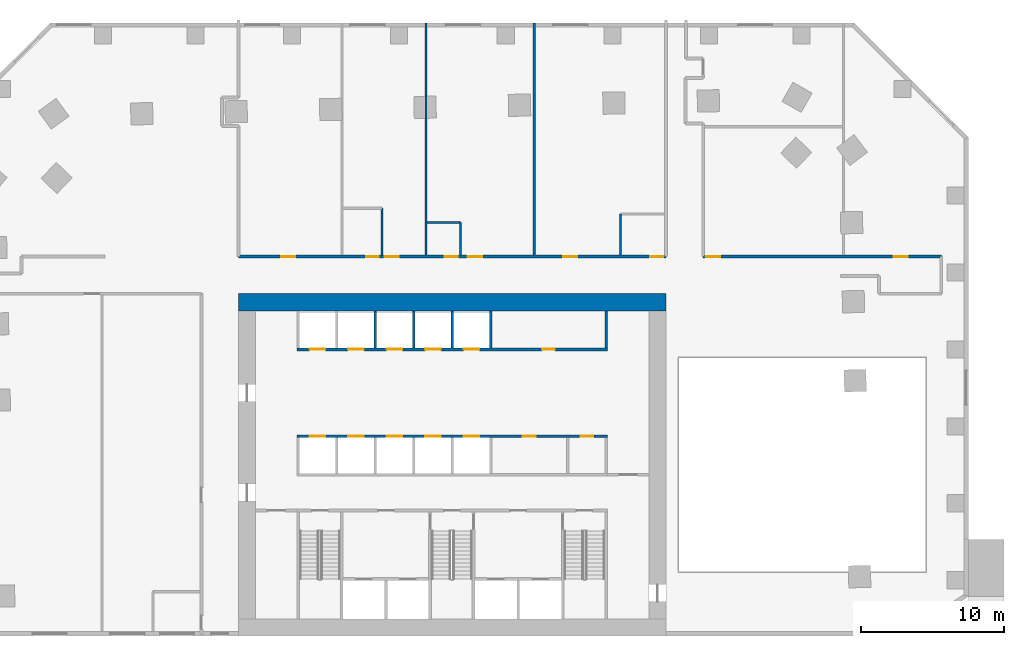
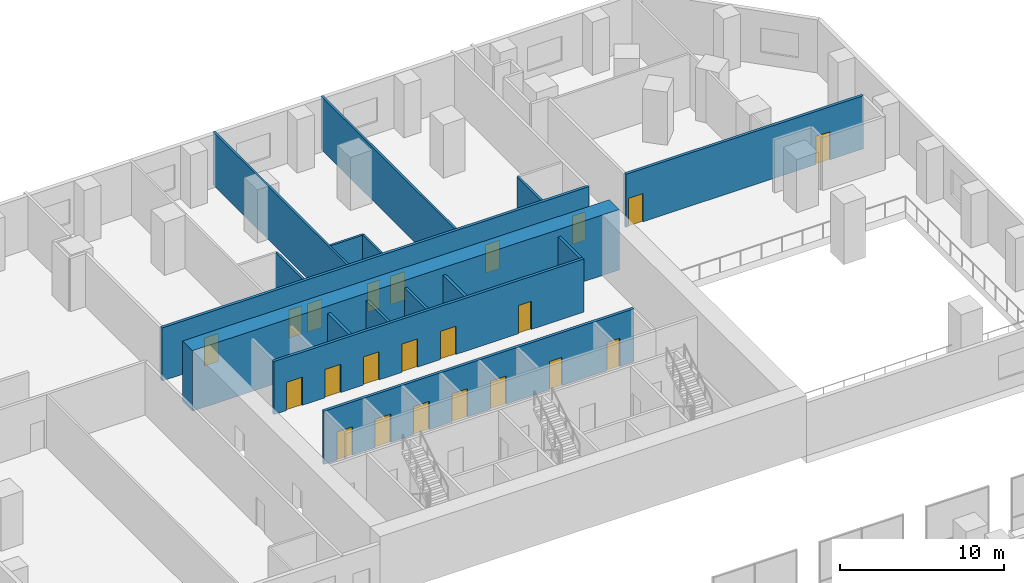
# One storey, part 8 of 12: 22 doors, 16 walls, 22 openings.
"""IFC4 building model written with IfcOpenShell, lengths in metres."""

from ifc_helpers import new_model, si_unit, direction, frame, frame_2d, origin, place, context, subcontext, project, spatial, rectangle, extrude, material, layer, layer_set, type_object, element, fill, save


model = new_model("IFC4")

# Units and contexts
model_context = context("Model", 3, precision=1e-05, world=origin(), true_north=direction((0.0, 1.0)))
body_context = subcontext(model_context, "Body", "Model", "MODEL_VIEW")
ifc_project = project(units=[si_unit("LENGTHUNIT", "METRE"), si_unit("AREAUNIT", "SQUARE_METRE"), si_unit("VOLUMEUNIT", "CUBIC_METRE"), si_unit("PLANEANGLEUNIT", "RADIAN"), si_unit("MASSUNIT", "GRAM", prefix="KILO")], contexts=[model_context])

# Site, building, storey
site_placement = place(None, origin())
site = spatial("IfcSite", under=ifc_project, at=site_placement, CompositionType="ELEMENT")
building_placement = place(site_placement, origin())
building = spatial("IfcBuilding", under=site, at=building_placement, Name="Mangrove Gate Tower", CompositionType="ELEMENT")
storey_placement = place(building_placement, frame((0.0, 0.0, 16.0)))
storey = spatial("IfcBuildingStorey", under=building, at=storey_placement, Name="L03", CompositionType="ELEMENT", Elevation=16.0)

# Wall
ifc_material_1 = material(Name="Concrete C32/40", Category="concrete")
ifc_layer_1 = layer(ifc_material_1, 0.199951171875)
ifc_layer_set_1 = layer_set([ifc_layer_1], Name="Core room wall 200 C32/40")
wall_type_1 = type_object("IfcWallType", Name="Core room wall 200 C32/40", PredefinedType="STANDARD", material=ifc_layer_set_1)
wall_1_placement = place(storey_placement, frame((10.800048828125, 8.199951171875, 0.0), z_axis=(0.0, 0.0, 1.0), x_axis=(0.0, 1.0, 0.0)))
element("IfcWall", 1, at=wall_1_placement, inside=storey, type_object=wall_type_1, Name="WALL-L03-CORE-33", PredefinedType="STANDARD", context=body_context, shape_type="SweptSolid", body=[
    extrude(rectangle(XDim=2.60009765625, YDim=0.199951171875, at=frame_2d((1.300048828125, 0.0))), origin(), (0.0, 0.0, 1.0), 3.949951171875),
])

# Wall, openings, doors
ifc_material_2 = material(Name="Concrete C70/85", Category="concrete")
ifc_layer_2 = layer(ifc_material_2, 0.199951171875)
ifc_layer_set_2 = layer_set([ifc_layer_2], Name="Core shaft wall 200 C70/85")
wall_type_2 = type_object("IfcWallType", Name="Core shaft wall 200 C70/85", PredefinedType="SHEAR", material=ifc_layer_set_2)
wall_2_placement = place(storey_placement, frame((-10.89990234375, 2.0, 0.0), z_axis=(0.0, 0.0, 1.0), x_axis=(1.0, 0.0, 0.0)))
wall_2 = element("IfcWall", 2, at=wall_2_placement, inside=storey, type_object=wall_type_2, Name="WALL-L03-CORE-7", PredefinedType="SHEAR", context=body_context, shape_type="SweptSolid", body=[
    extrude(rectangle(XDim=21.7998046875, YDim=0.199951171875, at=frame_2d((10.89990234375, 0.0))), origin(), (0.0, 0.0, 1.0), 3.949951171875),
])
opening_1_placement = place(wall_2_placement, frame((0.89990234375, 0.0, 0.0)))
opening_1 = element("IfcOpeningElement", 3, at=opening_1_placement, cuts=wall_2, Name="Opening LD", PredefinedType="OPENING", context=body_context, shape_type="SweptSolid", body=[
    extrude(rectangle(XDim=1.10009765625, YDim=2.10009765625, at=frame_2d((0.550048828125, 1.050048828125))), frame((0.0, 0.10986328125, 0.0), z_axis=(0.0, -1.0, 0.0), x_axis=(1.0, 0.0, 0.0)), (0.0, 0.0, 1.0), 0.219970703125),
])
opening_2_placement = place(wall_2_placement, frame((3.60009765625, 0.0, 0.0)))
opening_2 = element("IfcOpeningElement", 4, at=opening_2_placement, cuts=wall_2, Name="Opening LD", PredefinedType="OPENING", context=body_context, shape_type="SweptSolid", body=[
    extrude(rectangle(XDim=1.10009765625, YDim=2.10009765625, at=frame_2d((0.550048828125, 1.050048828125))), frame((0.0, 0.10986328125, 0.0), z_axis=(0.0, -1.0, 0.0), x_axis=(1.0, 0.0, 0.0)), (0.0, 0.0, 1.0), 0.219970703125),
])
opening_3_placement = place(wall_2_placement, frame((6.300048828125, 0.0, 0.0)))
opening_3 = element("IfcOpeningElement", 5, at=opening_3_placement, cuts=wall_2, Name="Opening LD", PredefinedType="OPENING", context=body_context, shape_type="SweptSolid", body=[
    extrude(rectangle(XDim=1.10009765625, YDim=2.10009765625, at=frame_2d((0.550048828125, 1.050048828125))), frame((0.0, 0.10986328125, 0.0), z_axis=(0.0, -1.0, 0.0), x_axis=(1.0, 0.0, 0.0)), (0.0, 0.0, 1.0), 0.219970703125),
])
opening_4_placement = place(wall_2_placement, frame((9.0, 0.0, 0.0)))
opening_4 = element("IfcOpeningElement", 6, at=opening_4_placement, cuts=wall_2, Name="Opening LD", PredefinedType="OPENING", context=body_context, shape_type="SweptSolid", body=[
    extrude(rectangle(XDim=1.10009765625, YDim=2.10009765625, at=frame_2d((0.550048828125, 1.050048828125))), frame((0.0, 0.10986328125, 0.0), z_axis=(0.0, -1.0, 0.0), x_axis=(1.0, 0.0, 0.0)), (0.0, 0.0, 1.0), 0.219970703125),
])
opening_5_placement = place(wall_2_placement, frame((11.699951171875, 0.0, 0.0)))
opening_5 = element("IfcOpeningElement", 7, at=opening_5_placement, cuts=wall_2, Name="Opening LD", PredefinedType="OPENING", context=body_context, shape_type="SweptSolid", body=[
    extrude(rectangle(XDim=1.10009765625, YDim=2.10009765625, at=frame_2d((0.550048828125, 1.050048828125))), frame((0.0, 0.10986328125, 0.0), z_axis=(0.0, -1.0, 0.0), x_axis=(1.0, 0.0, 0.0)), (0.0, 0.0, 1.0), 0.219970703125),
])
opening_6_placement = place(wall_2_placement, frame((15.85009765625, 0.0, 0.0)))
opening_6 = element("IfcOpeningElement", 8, at=opening_6_placement, cuts=wall_2, Name="Opening KD", PredefinedType="OPENING", context=body_context, shape_type="SweptSolid", body=[
    extrude(rectangle(XDim=0.89990234375, YDim=2.10009765625, at=frame_2d((0.449951171875, 1.050048828125))), frame((0.0, 0.10986328125, 0.0), z_axis=(0.0, -1.0, 0.0), x_axis=(1.0, 0.0, 0.0)), (0.0, 0.0, 1.0), 0.219970703125),
])
opening_7_placement = place(wall_2_placement, frame((19.89990234375, 0.0, 0.0)))
opening_7 = element("IfcOpeningElement", 9, at=opening_7_placement, cuts=wall_2, Name="Opening RD", PredefinedType="OPENING", context=body_context, shape_type="SweptSolid", body=[
    extrude(rectangle(XDim=0.89990234375, YDim=2.10009765625, at=frame_2d((0.449951171875, 1.050048828125))), frame((0.0, 0.10986328125, 0.0), z_axis=(0.0, -1.0, 0.0), x_axis=(1.0, 0.0, 0.0)), (0.0, 0.0, 1.0), 0.219970703125),
])
ifc_material_3 = material(Name="Fire-rated steel door set", Category="steel")
door_type_1 = type_object("IfcDoorType", Name="Core room door FD30S 900x2100", OperationType="SINGLE_SWING_RIGHT", PredefinedType="DOOR", material=ifc_material_3)
door_1_placement = place(opening_6_placement, origin())
door_1 = element("IfcDoor", 10, at=door_1_placement, inside=storey, type_object=door_type_1, Name="Core room door Linen store", OperationType="SINGLE_SWING_RIGHT", OverallHeight=2.10009765625, OverallWidth=0.89990234375, PredefinedType="DOOR", context=body_context, shape_type="SweptSolid", body=[
    extrude(rectangle(XDim=0.89990234375, YDim=2.10009765625, at=frame_2d((0.449951171875, 1.050048828125))), frame((0.0, 0.02490234375, 0.0), z_axis=(0.0, -1.0, 0.0), x_axis=(1.0, 0.0, 0.0)), (0.0, 0.0, 1.0), 0.050048828125),
])
fill(opening_6, door_1)
ifc_material_4 = material(Name="Stainless steel 316", Category="steel")
door_type_2 = type_object("IfcDoorType", Name="Lift landing door 1100x2100", OperationType="SLIDING_TO_LEFT", PredefinedType="DOOR", material=ifc_material_4)
door_2_placement = place(opening_1_placement, origin())
door_2 = element("IfcDoor", 11, at=door_2_placement, inside=storey, type_object=door_type_2, Name="Landing door LD P01", OperationType="SLIDING_TO_LEFT", OverallHeight=2.10009765625, OverallWidth=1.10009765625, PredefinedType="DOOR", context=body_context, shape_type="SweptSolid", body=[
    extrude(rectangle(XDim=1.10009765625, YDim=2.10009765625, at=frame_2d((0.550048828125, 1.050048828125))), frame((0.0, 0.02490234375, 0.0), z_axis=(0.0, -1.0, 0.0), x_axis=(1.0, 0.0, 0.0)), (0.0, 0.0, 1.0), 0.050048828125),
])
fill(opening_1, door_2)
door_3_placement = place(opening_2_placement, origin())
door_3 = element("IfcDoor", 12, at=door_3_placement, inside=storey, type_object=door_type_2, Name="Landing door LD P02", OperationType="SLIDING_TO_LEFT", OverallHeight=2.10009765625, OverallWidth=1.10009765625, PredefinedType="DOOR", context=body_context, shape_type="SweptSolid", body=[
    extrude(rectangle(XDim=1.10009765625, YDim=2.10009765625, at=frame_2d((0.550048828125, 1.050048828125))), frame((0.0, 0.02490234375, 0.0), z_axis=(0.0, -1.0, 0.0), x_axis=(1.0, 0.0, 0.0)), (0.0, 0.0, 1.0), 0.050048828125),
])
fill(opening_2, door_3)
door_4_placement = place(opening_3_placement, origin())
door_4 = element("IfcDoor", 13, at=door_4_placement, inside=storey, type_object=door_type_2, Name="Landing door LD P03", OperationType="SLIDING_TO_LEFT", OverallHeight=2.10009765625, OverallWidth=1.10009765625, PredefinedType="DOOR", context=body_context, shape_type="SweptSolid", body=[
    extrude(rectangle(XDim=1.10009765625, YDim=2.10009765625, at=frame_2d((0.550048828125, 1.050048828125))), frame((0.0, 0.02490234375, 0.0), z_axis=(0.0, -1.0, 0.0), x_axis=(1.0, 0.0, 0.0)), (0.0, 0.0, 1.0), 0.050048828125),
])
fill(opening_3, door_4)
door_5_placement = place(opening_4_placement, origin())
door_5 = element("IfcDoor", 14, at=door_5_placement, inside=storey, type_object=door_type_2, Name="Landing door LD P04", OperationType="SLIDING_TO_LEFT", OverallHeight=2.10009765625, OverallWidth=1.10009765625, PredefinedType="DOOR", context=body_context, shape_type="SweptSolid", body=[
    extrude(rectangle(XDim=1.10009765625, YDim=2.10009765625, at=frame_2d((0.550048828125, 1.050048828125))), frame((0.0, 0.02490234375, 0.0), z_axis=(0.0, -1.0, 0.0), x_axis=(1.0, 0.0, 0.0)), (0.0, 0.0, 1.0), 0.050048828125),
])
fill(opening_4, door_5)
door_6_placement = place(opening_5_placement, origin())
door_6 = element("IfcDoor", 15, at=door_6_placement, inside=storey, type_object=door_type_2, Name="Landing door LD P05", OperationType="SLIDING_TO_LEFT", OverallHeight=2.10009765625, OverallWidth=1.10009765625, PredefinedType="DOOR", context=body_context, shape_type="SweptSolid", body=[
    extrude(rectangle(XDim=1.10009765625, YDim=2.10009765625, at=frame_2d((0.550048828125, 1.050048828125))), frame((0.0, 0.02490234375, 0.0), z_axis=(0.0, -1.0, 0.0), x_axis=(1.0, 0.0, 0.0)), (0.0, 0.0, 1.0), 0.050048828125),
])
fill(opening_5, door_6)
ifc_material_5 = material(Name="Fire-rated steel door set", Category="steel")
door_type_3 = type_object("IfcDoorType", Name="Riser door FD30S 900x2100", OperationType="SINGLE_SWING_LEFT", PredefinedType="DOOR", material=ifc_material_5)
door_7_placement = place(opening_7_placement, origin())
door_7 = element("IfcDoor", 16, at=door_7_placement, inside=storey, type_object=door_type_3, Name="Riser door Switch room", OperationType="SINGLE_SWING_LEFT", OverallHeight=2.10009765625, OverallWidth=0.89990234375, PredefinedType="DOOR", context=body_context, shape_type="SweptSolid", body=[
    extrude(rectangle(XDim=0.89990234375, YDim=2.10009765625, at=frame_2d((0.449951171875, 1.050048828125))), frame((0.0, 0.02490234375, 0.0), z_axis=(0.0, -1.0, 0.0), x_axis=(1.0, 0.0, 0.0)), (0.0, 0.0, 1.0), 0.050048828125),
])
fill(opening_7, door_7)

wall_3_placement = place(storey_placement, frame((-10.89990234375, 8.10009765625, 0.0), z_axis=(0.0, 0.0, 1.0), x_axis=(1.0, 0.0, 0.0)))
wall_3 = element("IfcWall", 17, at=wall_3_placement, inside=storey, type_object=wall_type_2, Name="WALL-L03-CORE-8", PredefinedType="SHEAR", context=body_context, shape_type="SweptSolid", body=[
    extrude(rectangle(XDim=21.7998046875, YDim=0.199951171875, at=frame_2d((10.89990234375, 0.0))), origin(), (0.0, 0.0, 1.0), 3.949951171875),
])
opening_8_placement = place(wall_3_placement, frame((0.89990234375, 0.0, 0.0)))
opening_8 = element("IfcOpeningElement", 18, at=opening_8_placement, cuts=wall_3, Name="Opening LD", PredefinedType="OPENING", context=body_context, shape_type="SweptSolid", body=[
    extrude(rectangle(XDim=1.10009765625, YDim=2.10009765625, at=frame_2d((0.550048828125, 1.050048828125))), frame((0.0, 0.10986328125, 0.0), z_axis=(0.0, -1.0, 0.0), x_axis=(1.0, 0.0, 0.0)), (0.0, 0.0, 1.0), 0.219970703125),
])
opening_9_placement = place(wall_3_placement, frame((3.60009765625, 0.0, 0.0)))
opening_9 = element("IfcOpeningElement", 19, at=opening_9_placement, cuts=wall_3, Name="Opening LD", PredefinedType="OPENING", context=body_context, shape_type="SweptSolid", body=[
    extrude(rectangle(XDim=1.10009765625, YDim=2.10009765625, at=frame_2d((0.550048828125, 1.050048828125))), frame((0.0, 0.10986328125, 0.0), z_axis=(0.0, -1.0, 0.0), x_axis=(1.0, 0.0, 0.0)), (0.0, 0.0, 1.0), 0.219970703125),
])
opening_10_placement = place(wall_3_placement, frame((6.300048828125, 0.0, 0.0)))
opening_10 = element("IfcOpeningElement", 20, at=opening_10_placement, cuts=wall_3, Name="Opening LD", PredefinedType="OPENING", context=body_context, shape_type="SweptSolid", body=[
    extrude(rectangle(XDim=1.10009765625, YDim=2.10009765625, at=frame_2d((0.550048828125, 1.050048828125))), frame((0.0, 0.10986328125, 0.0), z_axis=(0.0, -1.0, 0.0), x_axis=(1.0, 0.0, 0.0)), (0.0, 0.0, 1.0), 0.219970703125),
])
opening_11_placement = place(wall_3_placement, frame((9.0, 0.0, 0.0)))
opening_11 = element("IfcOpeningElement", 21, at=opening_11_placement, cuts=wall_3, Name="Opening LD", PredefinedType="OPENING", context=body_context, shape_type="SweptSolid", body=[
    extrude(rectangle(XDim=1.10009765625, YDim=2.10009765625, at=frame_2d((0.550048828125, 1.050048828125))), frame((0.0, 0.10986328125, 0.0), z_axis=(0.0, -1.0, 0.0), x_axis=(1.0, 0.0, 0.0)), (0.0, 0.0, 1.0), 0.219970703125),
])
opening_12_placement = place(wall_3_placement, frame((11.699951171875, 0.0, 0.0)))
opening_12 = element("IfcOpeningElement", 22, at=opening_12_placement, cuts=wall_3, Name="Opening LD", PredefinedType="OPENING", context=body_context, shape_type="SweptSolid", body=[
    extrude(rectangle(XDim=1.10009765625, YDim=2.10009765625, at=frame_2d((0.550048828125, 1.050048828125))), frame((0.0, 0.10986328125, 0.0), z_axis=(0.0, -1.0, 0.0), x_axis=(1.0, 0.0, 0.0)), (0.0, 0.0, 1.0), 0.219970703125),
])
opening_13_placement = place(wall_3_placement, frame((17.199951171875, 0.0, 0.0)))
opening_13 = element("IfcOpeningElement", 23, at=opening_13_placement, cuts=wall_3, Name="Opening RD", PredefinedType="OPENING", context=body_context, shape_type="SweptSolid", body=[
    extrude(rectangle(XDim=0.89990234375, YDim=2.10009765625, at=frame_2d((0.449951171875, 1.050048828125))), frame((0.0, 0.10986328125, 0.0), z_axis=(0.0, -1.0, 0.0), x_axis=(1.0, 0.0, 0.0)), (0.0, 0.0, 1.0), 0.219970703125),
])
door_8_placement = place(opening_8_placement, origin())
door_8 = element("IfcDoor", 24, at=door_8_placement, inside=storey, type_object=door_type_2, Name="Landing door LD P06", OperationType="SLIDING_TO_LEFT", OverallHeight=2.10009765625, OverallWidth=1.10009765625, PredefinedType="DOOR", context=body_context, shape_type="SweptSolid", body=[
    extrude(rectangle(XDim=1.10009765625, YDim=2.10009765625, at=frame_2d((0.550048828125, 1.050048828125))), frame((0.0, 0.02490234375, 0.0), z_axis=(0.0, -1.0, 0.0), x_axis=(1.0, 0.0, 0.0)), (0.0, 0.0, 1.0), 0.050048828125),
])
fill(opening_8, door_8)
door_9_placement = place(opening_9_placement, origin())
door_9 = element("IfcDoor", 25, at=door_9_placement, inside=storey, type_object=door_type_2, Name="Landing door LD P07", OperationType="SLIDING_TO_LEFT", OverallHeight=2.10009765625, OverallWidth=1.10009765625, PredefinedType="DOOR", context=body_context, shape_type="SweptSolid", body=[
    extrude(rectangle(XDim=1.10009765625, YDim=2.10009765625, at=frame_2d((0.550048828125, 1.050048828125))), frame((0.0, 0.02490234375, 0.0), z_axis=(0.0, -1.0, 0.0), x_axis=(1.0, 0.0, 0.0)), (0.0, 0.0, 1.0), 0.050048828125),
])
fill(opening_9, door_9)
door_10_placement = place(opening_10_placement, origin())
door_10 = element("IfcDoor", 26, at=door_10_placement, inside=storey, type_object=door_type_2, Name="Landing door LD P08", OperationType="SLIDING_TO_LEFT", OverallHeight=2.10009765625, OverallWidth=1.10009765625, PredefinedType="DOOR", context=body_context, shape_type="SweptSolid", body=[
    extrude(rectangle(XDim=1.10009765625, YDim=2.10009765625, at=frame_2d((0.550048828125, 1.050048828125))), frame((0.0, 0.02490234375, 0.0), z_axis=(0.0, -1.0, 0.0), x_axis=(1.0, 0.0, 0.0)), (0.0, 0.0, 1.0), 0.050048828125),
])
fill(opening_10, door_10)
door_11_placement = place(opening_11_placement, origin())
door_11 = element("IfcDoor", 27, at=door_11_placement, inside=storey, type_object=door_type_2, Name="Landing door LD P09", OperationType="SLIDING_TO_LEFT", OverallHeight=2.10009765625, OverallWidth=1.10009765625, PredefinedType="DOOR", context=body_context, shape_type="SweptSolid", body=[
    extrude(rectangle(XDim=1.10009765625, YDim=2.10009765625, at=frame_2d((0.550048828125, 1.050048828125))), frame((0.0, 0.02490234375, 0.0), z_axis=(0.0, -1.0, 0.0), x_axis=(1.0, 0.0, 0.0)), (0.0, 0.0, 1.0), 0.050048828125),
])
fill(opening_11, door_11)
door_12_placement = place(opening_12_placement, origin())
door_12 = element("IfcDoor", 28, at=door_12_placement, inside=storey, type_object=door_type_2, Name="Landing door LD P10", OperationType="SLIDING_TO_LEFT", OverallHeight=2.10009765625, OverallWidth=1.10009765625, PredefinedType="DOOR", context=body_context, shape_type="SweptSolid", body=[
    extrude(rectangle(XDim=1.10009765625, YDim=2.10009765625, at=frame_2d((0.550048828125, 1.050048828125))), frame((0.0, 0.02490234375, 0.0), z_axis=(0.0, -1.0, 0.0), x_axis=(1.0, 0.0, 0.0)), (0.0, 0.0, 1.0), 0.050048828125),
])
fill(opening_12, door_12)
door_13_placement = place(opening_13_placement, origin())
door_13 = element("IfcDoor", 29, at=door_13_placement, inside=storey, type_object=door_type_3, Name="Riser door Comms room", OperationType="SINGLE_SWING_LEFT", OverallHeight=2.10009765625, OverallWidth=0.89990234375, PredefinedType="DOOR", context=body_context, shape_type="SweptSolid", body=[
    extrude(rectangle(XDim=0.89990234375, YDim=2.10009765625, at=frame_2d((0.449951171875, 1.050048828125))), frame((0.0, 0.02490234375, 0.0), z_axis=(0.0, -1.0, 0.0), x_axis=(1.0, 0.0, 0.0)), (0.0, 0.0, 1.0), 0.050048828125),
])
fill(opening_13, door_13)

# Walls
for number, where, z_axis, x_axis, name in (
    (30, (-5.39990234375, 8.199951171875, 0.0), (0.0, 0.0, 1.0), (0.0, 1.0, 0.0), "WALL-L03-CORE-29"),
    (31, (-2.699951171875, 8.199951171875, 0.0), (0.0, 0.0, 1.0), (0.0, 1.0, 0.0), "WALL-L03-CORE-30"),
    (32, (0.0, 8.199951171875, 0.0), (0.0, 0.0, 1.0), (0.0, 1.0, 0.0), "WALL-L03-CORE-31"),
    (33, (2.699951171875, 8.199951171875, 0.0), (0.0, 0.0, 1.0), (0.0, 1.0, 0.0), "WALL-L03-CORE-32"),
):
    element("IfcWall", number, at=place(storey_placement, frame(where, z_axis=z_axis, x_axis=x_axis)), inside=storey, type_object=wall_type_2, Name=name, PredefinedType="SHEAR", context=body_context, shape_type="SweptSolid", body=[
        extrude(rectangle(XDim=2.60009765625, YDim=0.199951171875, at=frame_2d((1.300048828125, 0.0))), origin(), (0.0, 0.0, 1.0), 3.949951171875),
    ])
ifc_material_6 = material(Name="Concrete C70/85", Category="concrete")
ifc_layer_3 = layer(ifc_material_6, 1.199951171875)
ifc_layer_set_3 = layer_set([ifc_layer_3], Name="Core wall 1200 C70/85")
wall_type_3 = type_object("IfcWallType", Name="Core wall 1200 C70/85", PredefinedType="SHEAR", material=ifc_layer_set_3)
wall_4_placement = place(storey_placement, frame((-15.0, 11.39990234375, 0.0), z_axis=(0.0, 0.0, 1.0), x_axis=(1.0, 0.0, 0.0)))
element("IfcWall", 34, at=wall_4_placement, inside=storey, type_object=wall_type_3, Name="WALL-L03-CORE-2", PredefinedType="SHEAR", context=body_context, shape_type="SweptSolid", body=[
    extrude(rectangle(XDim=30.0, YDim=1.199951171875, at=frame_2d((15.0, 0.0))), origin(), (0.0, 0.0, 1.0), 4.5),
])

# Wall, openings, doors
ifc_material_7 = material(Name="Gypsum board on steel stud, EI 60", Category="steel")
ifc_layer_4 = layer(ifc_material_7, 0.199951171875)
ifc_layer_set_4 = layer_set([ifc_layer_4], Name="Corridor wall EI 60")
wall_type_4 = type_object("IfcWallType", Name="Corridor wall EI 60", PredefinedType="PARTITIONING", material=ifc_layer_set_4)
wall_5_placement = place(storey_placement, frame((-15.0, 14.60009765625, 0.0), z_axis=(0.0, 0.0, 1.0), x_axis=(1.0, 0.0, 0.0)))
wall_5 = element("IfcWall", 35, at=wall_5_placement, inside=storey, type_object=wall_type_4, Name="WALL-L03-014", PredefinedType="PARTITIONING", context=body_context, shape_type="SweptSolid", body=[
    extrude(rectangle(XDim=30.0, YDim=0.199951171875, at=frame_2d((15.0, 0.0))), origin(), (0.0, 0.0, 1.0), 3.949951171875),
])
opening_14_placement = place(wall_5_placement, frame((3.0, 0.0, 0.0)))
opening_14 = element("IfcOpeningElement", 36, at=opening_14_placement, cuts=wall_5, Name="Opening AD", PredefinedType="OPENING", context=body_context, shape_type="SweptSolid", body=[
    extrude(rectangle(XDim=1.0, YDim=2.10009765625, at=frame_2d((0.5, 1.050048828125))), frame((0.0, 0.10986328125, 0.0), z_axis=(0.0, -1.0, 0.0), x_axis=(1.0, 0.0, 0.0)), (0.0, 0.0, 1.0), 0.219970703125),
])
opening_15_placement = place(wall_5_placement, frame((10.260009765625, 0.0, 0.0)))
opening_15 = element("IfcOpeningElement", 37, at=opening_15_placement, cuts=wall_5, Name="Opening AD", PredefinedType="OPENING", context=body_context, shape_type="SweptSolid", body=[
    extrude(rectangle(XDim=1.0, YDim=2.10009765625, at=frame_2d((0.5, 1.050048828125))), frame((0.0, 0.10986328125, 0.0), z_axis=(0.0, -1.0, 0.0), x_axis=(1.0, 0.0, 0.0)), (0.0, 0.0, 1.0), 0.219970703125),
])
opening_16_placement = place(wall_5_placement, frame((8.9599609375, 0.0, 0.0)))
opening_16 = element("IfcOpeningElement", 38, at=opening_16_placement, cuts=wall_5, Name="Opening SD", PredefinedType="OPENING", context=body_context, shape_type="SweptSolid", body=[
    extrude(rectangle(XDim=0.89990234375, YDim=2.10009765625, at=frame_2d((0.449951171875, 1.050048828125))), frame((0.0, 0.10986328125, 0.0), z_axis=(0.0, -1.0, 0.0), x_axis=(1.0, 0.0, 0.0)), (0.0, 0.0, 1.0), 0.219970703125),
])
opening_17_placement = place(wall_5_placement, frame((16.097900390625, 0.0, 0.0)))
opening_17 = element("IfcOpeningElement", 39, at=opening_17_placement, cuts=wall_5, Name="Opening AD", PredefinedType="OPENING", context=body_context, shape_type="SweptSolid", body=[
    extrude(rectangle(XDim=1.0, YDim=2.10009765625, at=frame_2d((0.5, 1.050048828125))), frame((0.0, 0.10986328125, 0.0), z_axis=(0.0, -1.0, 0.0), x_axis=(1.0, 0.0, 0.0)), (0.0, 0.0, 1.0), 0.219970703125),
])
opening_18_placement = place(wall_5_placement, frame((14.469970703125, 0.0, 0.0)))
opening_18 = element("IfcOpeningElement", 40, at=opening_18_placement, cuts=wall_5, Name="Opening SD", PredefinedType="OPENING", context=body_context, shape_type="SweptSolid", body=[
    extrude(rectangle(XDim=0.89990234375, YDim=2.10009765625, at=frame_2d((0.449951171875, 1.050048828125))), frame((0.0, 0.10986328125, 0.0), z_axis=(0.0, -1.0, 0.0), x_axis=(1.0, 0.0, 0.0)), (0.0, 0.0, 1.0), 0.219970703125),
])
opening_19_placement = place(wall_5_placement, frame((22.76904296875, 0.0, 0.0)))
opening_19 = element("IfcOpeningElement", 41, at=opening_19_placement, cuts=wall_5, Name="Opening AD", PredefinedType="OPENING", context=body_context, shape_type="SweptSolid", body=[
    extrude(rectangle(XDim=1.0, YDim=2.10009765625, at=frame_2d((0.5, 1.050048828125))), frame((0.0, 0.10986328125, 0.0), z_axis=(0.0, -1.0, 0.0), x_axis=(1.0, 0.0, 0.0)), (0.0, 0.0, 1.0), 0.219970703125),
])
opening_20_placement = place(wall_5_placement, frame((28.89990234375, 0.0, 0.0)))
opening_20 = element("IfcOpeningElement", 42, at=opening_20_placement, cuts=wall_5, Name="Opening SD", PredefinedType="OPENING", context=body_context, shape_type="SweptSolid", body=[
    extrude(rectangle(XDim=0.89990234375, YDim=2.10009765625, at=frame_2d((0.449951171875, 1.050048828125))), frame((0.0, 0.10986328125, 0.0), z_axis=(0.0, -1.0, 0.0), x_axis=(1.0, 0.0, 0.0)), (0.0, 0.0, 1.0), 0.219970703125),
])
ifc_material_8 = material(Name="Timber door leaf", Category="wood")
door_type_4 = type_object("IfcDoorType", Name="Amenity door 1000", OperationType="SINGLE_SWING_LEFT", PredefinedType="DOOR", material=ifc_material_8)
door_14_placement = place(opening_14_placement, origin())
door_14 = element("IfcDoor", 43, at=door_14_placement, inside=storey, type_object=door_type_4, Name="DOOR-L03-POD-04", OperationType="SINGLE_SWING_RIGHT", OverallHeight=2.10009765625, OverallWidth=1.0, PredefinedType="DOOR", context=body_context, shape_type="SweptSolid", body=[
    extrude(rectangle(XDim=1.0, YDim=2.10009765625, at=frame_2d((0.5, 1.050048828125))), frame((0.0, 0.02490234375, 0.0), z_axis=(0.0, -1.0, 0.0), x_axis=(1.0, 0.0, 0.0)), (0.0, 0.0, 1.0), 0.050048828125),
])
fill(opening_14, door_14)
door_15_placement = place(opening_15_placement, origin())
door_15 = element("IfcDoor", 44, at=door_15_placement, inside=storey, type_object=door_type_4, Name="DOOR-L03-POD-05", OperationType="SINGLE_SWING_LEFT", OverallHeight=2.10009765625, OverallWidth=1.0, PredefinedType="DOOR", context=body_context, shape_type="SweptSolid", body=[
    extrude(rectangle(XDim=1.0, YDim=2.10009765625, at=frame_2d((0.5, 1.050048828125))), frame((0.0, 0.02490234375, 0.0), z_axis=(0.0, -1.0, 0.0), x_axis=(1.0, 0.0, 0.0)), (0.0, 0.0, 1.0), 0.050048828125),
])
fill(opening_15, door_15)
door_16_placement = place(opening_17_placement, origin())
door_16 = element("IfcDoor", 45, at=door_16_placement, inside=storey, type_object=door_type_4, Name="DOOR-L03-POD-06", OperationType="SINGLE_SWING_RIGHT", OverallHeight=2.10009765625, OverallWidth=1.0, PredefinedType="DOOR", context=body_context, shape_type="SweptSolid", body=[
    extrude(rectangle(XDim=1.0, YDim=2.10009765625, at=frame_2d((0.5, 1.050048828125))), frame((0.0, 0.02490234375, 0.0), z_axis=(0.0, -1.0, 0.0), x_axis=(1.0, 0.0, 0.0)), (0.0, 0.0, 1.0), 0.050048828125),
])
fill(opening_17, door_16)
door_17_placement = place(opening_19_placement, origin())
door_17 = element("IfcDoor", 46, at=door_17_placement, inside=storey, type_object=door_type_4, Name="DOOR-L03-POD-07", OperationType="SINGLE_SWING_LEFT", OverallHeight=2.10009765625, OverallWidth=1.0, PredefinedType="DOOR", context=body_context, shape_type="SweptSolid", body=[
    extrude(rectangle(XDim=1.0, YDim=2.10009765625, at=frame_2d((0.5, 1.050048828125))), frame((0.0, 0.02490234375, 0.0), z_axis=(0.0, -1.0, 0.0), x_axis=(1.0, 0.0, 0.0)), (0.0, 0.0, 1.0), 0.050048828125),
])
fill(opening_19, door_17)
ifc_material_9 = material(Name="Timber door leaf", Category="wood")
door_type_5 = type_object("IfcDoorType", Name="Service room door 900", OperationType="SINGLE_SWING_LEFT", PredefinedType="DOOR", material=ifc_material_9)
door_18_placement = place(opening_16_placement, origin())
door_18 = element("IfcDoor", 47, at=door_18_placement, inside=storey, type_object=door_type_5, Name="DOOR-L03-PSV-05", OperationType="SINGLE_SWING_RIGHT", OverallHeight=2.10009765625, OverallWidth=0.89990234375, PredefinedType="DOOR", context=body_context, shape_type="SweptSolid", body=[
    extrude(rectangle(XDim=0.89990234375, YDim=2.10009765625, at=frame_2d((0.449951171875, 1.050048828125))), frame((0.0, 0.02490234375, 0.0), z_axis=(0.0, -1.0, 0.0), x_axis=(1.0, 0.0, 0.0)), (0.0, 0.0, 1.0), 0.050048828125),
])
fill(opening_16, door_18)
door_19_placement = place(opening_18_placement, origin())
door_19 = element("IfcDoor", 48, at=door_19_placement, inside=storey, type_object=door_type_5, Name="DOOR-L03-PSV-06", OperationType="SINGLE_SWING_LEFT", OverallHeight=2.10009765625, OverallWidth=0.89990234375, PredefinedType="DOOR", context=body_context, shape_type="SweptSolid", body=[
    extrude(rectangle(XDim=0.89990234375, YDim=2.10009765625, at=frame_2d((0.449951171875, 1.050048828125))), frame((0.0, 0.02490234375, 0.0), z_axis=(0.0, -1.0, 0.0), x_axis=(1.0, 0.0, 0.0)), (0.0, 0.0, 1.0), 0.050048828125),
])
fill(opening_18, door_19)
door_20_placement = place(opening_20_placement, origin())
door_20 = element("IfcDoor", 49, at=door_20_placement, inside=storey, type_object=door_type_5, Name="DOOR-L03-PSV-07", OperationType="SINGLE_SWING_RIGHT", OverallHeight=2.10009765625, OverallWidth=0.89990234375, PredefinedType="DOOR", context=body_context, shape_type="SweptSolid", body=[
    extrude(rectangle(XDim=0.89990234375, YDim=2.10009765625, at=frame_2d((0.449951171875, 1.050048828125))), frame((0.0, 0.02490234375, 0.0), z_axis=(0.0, -1.0, 0.0), x_axis=(1.0, 0.0, 0.0)), (0.0, 0.0, 1.0), 0.050048828125),
])
fill(opening_20, door_20)

wall_6_placement = place(storey_placement, frame((17.60009765625, 14.60009765625, 0.0), z_axis=(0.0, 0.0, 1.0), x_axis=(1.0, 0.0, 0.0)))
wall_6 = element("IfcWall", 50, at=wall_6_placement, inside=storey, type_object=wall_type_4, Name="WALL-L03-023", PredefinedType="PARTITIONING", context=body_context, shape_type="SweptSolid", body=[
    extrude(rectangle(XDim=16.699951171875, YDim=0.199951171875, at=frame_2d((8.35009765625, 0.0))), origin(), (0.0, 0.0, 1.0), 3.949951171875),
])
opening_21_placement = place(wall_6_placement, frame((13.35498046875, 0.0, 0.0)))
opening_21 = element("IfcOpeningElement", 51, at=opening_21_placement, cuts=wall_6, Name="Opening AD", PredefinedType="OPENING", context=body_context, shape_type="SweptSolid", body=[
    extrude(rectangle(XDim=1.0, YDim=2.10009765625, at=frame_2d((0.5, 1.050048828125))), frame((0.0, 0.10986328125, 0.0), z_axis=(0.0, -1.0, 0.0), x_axis=(1.0, 0.0, 0.0)), (0.0, 0.0, 1.0), 0.219970703125),
])
opening_22_placement = place(wall_6_placement, frame((0.199951171875, 0.0, 0.0)))
opening_22 = element("IfcOpeningElement", 52, at=opening_22_placement, cuts=wall_6, Name="Opening AD", PredefinedType="OPENING", context=body_context, shape_type="SweptSolid", body=[
    extrude(rectangle(XDim=1.0, YDim=2.10009765625, at=frame_2d((0.5, 1.050048828125))), frame((0.0, 0.10986328125, 0.0), z_axis=(0.0, -1.0, 0.0), x_axis=(1.0, 0.0, 0.0)), (0.0, 0.0, 1.0), 0.219970703125),
])
door_21_placement = place(opening_21_placement, origin())
door_21 = element("IfcDoor", 53, at=door_21_placement, inside=storey, type_object=door_type_4, Name="DOOR-L03-POD-03", OperationType="SINGLE_SWING_LEFT", OverallHeight=2.10009765625, OverallWidth=1.0, PredefinedType="DOOR", context=body_context, shape_type="SweptSolid", body=[
    extrude(rectangle(XDim=1.0, YDim=2.10009765625, at=frame_2d((0.5, 1.050048828125))), frame((0.0, 0.02490234375, 0.0), z_axis=(0.0, -1.0, 0.0), x_axis=(1.0, 0.0, 0.0)), (0.0, 0.0, 1.0), 0.050048828125),
])
fill(opening_21, door_21)
door_22_placement = place(opening_22_placement, origin())
door_22 = element("IfcDoor", 54, at=door_22_placement, inside=storey, type_object=door_type_4, Name="DOOR-L03-POD-08", OperationType="SINGLE_SWING_RIGHT", OverallHeight=2.10009765625, OverallWidth=1.0, PredefinedType="DOOR", context=body_context, shape_type="SweptSolid", body=[
    extrude(rectangle(XDim=1.0, YDim=2.10009765625, at=frame_2d((0.5, 1.050048828125))), frame((0.0, 0.02490234375, 0.0), z_axis=(0.0, -1.0, 0.0), x_axis=(1.0, 0.0, 0.0)), (0.0, 0.0, 1.0), 0.050048828125),
])
fill(opening_22, door_22)

# Walls
ifc_material_10 = material(Name="Gypsum board on steel stud, EI 60", Category="steel")
ifc_layer_5 = layer(ifc_material_10, 0.14990234375)
ifc_layer_set_5 = layer_set([ifc_layer_5], Name="Party wall 150 EI 60")
wall_type_5 = type_object("IfcWallType", Name="Party wall 150 EI 60", PredefinedType="PARTITIONING", material=ifc_layer_set_5)
wall_7_placement = place(storey_placement, frame((-4.93994140625, 14.699951171875, 0.0), z_axis=(0.0, 0.0, 1.0), x_axis=(0.0, 1.0, 0.0)))
element("IfcWall", 55, at=wall_7_placement, inside=storey, type_object=wall_type_5, Name="WALL-L03-017", PredefinedType="PARTITIONING", context=body_context, shape_type="SweptSolid", body=[
    extrude(rectangle(XDim=3.300048828125, YDim=0.14990234375, at=frame_2d((1.64990234375, 0.0))), origin(), (0.0, 0.0, 1.0), 3.949951171875),
])
wall_8_placement = place(storey_placement, frame((-1.830078125, 14.699951171875, 0.0), z_axis=(0.0, 0.0, 1.0), x_axis=(0.0, 1.0, 0.0)))
element("IfcWall", 56, at=wall_8_placement, inside=storey, type_object=wall_type_5, Name="WALL-L03-018", PredefinedType="PARTITIONING", context=body_context, shape_type="SweptSolid", body=[
    extrude(rectangle(XDim=16.300048828125, YDim=0.14990234375, at=frame_2d((8.14990234375, 0.0))), origin(), (0.0, 0.0, 1.0), 3.949951171875),
])
wall_9_placement = place(storey_placement, frame((0.570068359375, 14.699951171875, 0.0), z_axis=(0.0, 0.0, 1.0), x_axis=(0.0, 1.0, 0.0)))
element("IfcWall", 57, at=wall_9_placement, inside=storey, type_object=wall_type_5, Name="WALL-L03-019", PredefinedType="PARTITIONING", context=body_context, shape_type="SweptSolid", body=[
    extrude(rectangle(XDim=2.300048828125, YDim=0.14990234375, at=frame_2d((1.14990234375, 0.0))), origin(), (0.0, 0.0, 1.0), 3.949951171875),
])
wall_10_placement = place(storey_placement, frame((5.75, 14.699951171875, 0.0), z_axis=(0.0, 0.0, 1.0), x_axis=(0.0, 1.0, 0.0)))
element("IfcWall", 58, at=wall_10_placement, inside=storey, type_object=wall_type_5, Name="WALL-L03-020", PredefinedType="PARTITIONING", context=body_context, shape_type="SweptSolid", body=[
    extrude(rectangle(XDim=16.300048828125, YDim=0.14990234375, at=frame_2d((8.14990234375, 0.0))), origin(), (0.0, 0.0, 1.0), 3.949951171875),
])
wall_11_placement = place(storey_placement, frame((11.800048828125, 14.699951171875, 0.0), z_axis=(0.0, 0.0, 1.0), x_axis=(0.0, 1.0, 0.0)))
element("IfcWall", 59, at=wall_11_placement, inside=storey, type_object=wall_type_5, Name="WALL-L03-021", PredefinedType="PARTITIONING", context=body_context, shape_type="SweptSolid", body=[
    extrude(rectangle(XDim=2.900146484375, YDim=0.14990234375, at=frame_2d((1.4501953125, 0.0))), origin(), (0.0, 0.0, 1.0), 3.949951171875),
])
wall_12_placement = place(storey_placement, frame((-1.7548828125, 17.0, 0.0), z_axis=(0.0, 0.0, 1.0), x_axis=(1.0, 0.0, 0.0)))
element("IfcWall", 60, at=wall_12_placement, inside=storey, type_object=wall_type_5, Name="WALL-L03-026", PredefinedType="PARTITIONING", context=body_context, shape_type="SweptSolid", body=[
    extrude(rectangle(XDim=2.324951171875, YDim=0.14990234375, at=frame_2d((1.16259765625, 0.0))), origin(), (0.0, 0.0, 1.0), 3.949951171875),
])

save(model, "model.ifc")
